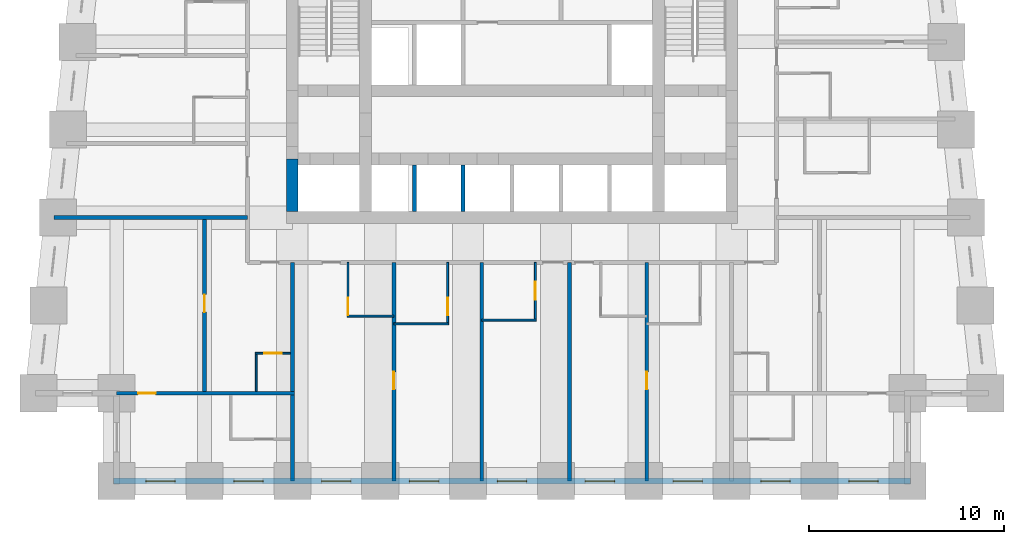
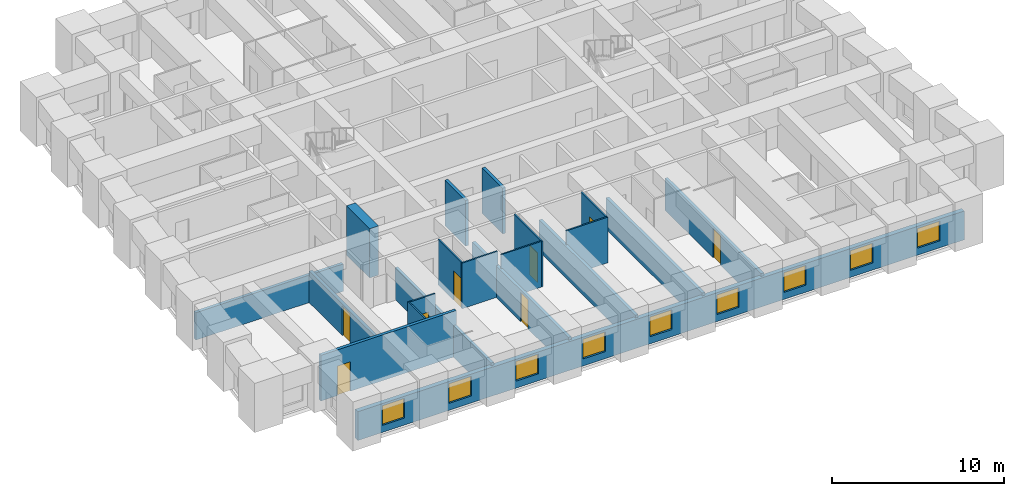
# One storey, part 2 of 8: 20 walls, 9 windows, 8 doors, 17 openings.
"""IFC4 building model written with IfcOpenShell, lengths in metres."""

import ifcopenshell
import ifcopenshell.guid

model = None  # the IFC model being written
_history = None  # IfcOwnerHistory: only IFC2X3 demands one
_inside = {}  # id of a spatial element -> (the spatial element, [elements in it])
_under = {}  # id of a project, library or spatial element -> (it, [spatial elements below it])
_declared = {}  # id of a project -> (the project, [libraries it declares])
_typed = {}  # id of a type object -> (the type object, [elements of that type])
_made_of = {}  # id of a material, layer set ... -> (it, [elements and type objects made of it])


def new_model(schema):
    """Start an empty IFC model of exactly this schema.

    Asked for "IFC4X3", IfcOpenShell would pick the latest addendum, in which some entities
    have other attributes; the version numbers below select the first issue.
    IFC2X3 requires an IfcOwnerHistory on every rooted entity: one is made here for all.
    """
    global model, _history
    if schema == "IFC4X3":
        model = ifcopenshell.file(schema_version=(4, 3, 0, 0))
    else:
        model = ifcopenshell.file(schema=schema)
    _inside.clear()
    _under.clear()
    _declared.clear()
    _typed.clear()
    _made_of.clear()
    _history = None
    if model.schema == "IFC2X3":
        org = make("IfcOrganization", Name="unknown")
        user = make(
            "IfcPersonAndOrganization",
            ThePerson=make("IfcPerson", FamilyName="unknown"),
            TheOrganization=org,
        )
        app = make(
            "IfcApplication",
            ApplicationDeveloper=org,
            Version="unknown",
            ApplicationFullName="unknown",
            ApplicationIdentifier="unknown",
        )
        _history = make(
            "IfcOwnerHistory",
            OwningUser=user,
            OwningApplication=app,
            ChangeAction="ADDED",
            CreationDate=0,
        )
    return model


def make(cls, **values):
    """One entity of the class cls with the attributes given. An attribute that is None is left unset."""
    return model.create_entity(
        cls, **{name: value for name, value in values.items() if value is not None}
    )


def rooted(cls, **values):
    """An entity with a GlobalId (a new one), such as an element, a storey or a relation."""
    return make(cls, GlobalId=ifcopenshell.guid.new(), OwnerHistory=_history, **values)


def si_unit(unit_type, name, prefix=None):
    """IfcSIUnit, for example si_unit("LENGTHUNIT", "METRE", prefix="MILLI")."""
    return make("IfcSIUnit", UnitType=unit_type, Prefix=prefix, Name=name)


def assignment(units):
    """IfcUnitAssignment: the units of a project."""
    return None if units is None else make("IfcUnitAssignment", Units=units)


def point(xyz):
    """IfcCartesianPoint."""
    return None if xyz is None else make("IfcCartesianPoint", Coordinates=xyz)


def direction(xyz):
    """IfcDirection."""
    return None if xyz is None else make("IfcDirection", DirectionRatios=xyz)


def frame(location, z_axis=None, x_axis=None):
    """IfcAxis2Placement3D, a coordinate frame: its origin and axes. An axis left out is left unset."""
    return make(
        "IfcAxis2Placement3D",
        Location=point(location),
        Axis=direction(z_axis),
        RefDirection=direction(x_axis),
    )


def frame_2d(location, x_axis=None):
    """IfcAxis2Placement2D, a coordinate frame in the plane: its origin and x axis."""
    return make(
        "IfcAxis2Placement2D", Location=point(location), RefDirection=direction(x_axis)
    )


def origin():
    """The frame at (0, 0, 0) with its axes left unset."""
    return frame((0.0, 0.0, 0.0))


def place(relative_to, where):
    """IfcLocalPlacement: puts the frame where relative to a parent placement (None: the world)."""
    return make(
        "IfcLocalPlacement", PlacementRelTo=relative_to, RelativePlacement=where
    )


def context(
    kind, dimensions, precision=None, world=None, true_north=None, identifier=None
):
    """IfcGeometricRepresentationContext, for example the 3D "Model" context."""
    return make(
        "IfcGeometricRepresentationContext",
        ContextIdentifier=identifier,
        ContextType=kind,
        CoordinateSpaceDimension=dimensions,
        Precision=precision,
        WorldCoordinateSystem=world,
        TrueNorth=true_north,
    )


def subcontext(parent, identifier, kind, view, scale=None):
    """IfcGeometricRepresentationSubContext, for example "Body" below "Model"."""
    return make(
        "IfcGeometricRepresentationSubContext",
        ContextIdentifier=identifier,
        ContextType=kind,
        ParentContext=parent,
        TargetScale=scale,
        TargetView=view,
    )


def project(units=None, contexts=None):
    """IfcProject with its units and contexts."""
    return rooted(
        "IfcProject",
        Name="project",
        RepresentationContexts=contexts,
        UnitsInContext=assignment(units),
    )


def spatial(cls, under=None, at=None, **own):
    """A site, building, storey or space (cls), placed at a placement, below another one or the project."""
    s = rooted(cls, ObjectPlacement=at, **own)
    if under is not None:
        _under.setdefault(under.id(), (under, []))[1].append(s)
    return s


def profile(cls, at=None, kind="AREA", **sizes):
    """A parametric profile (cls). Its sizes go by their IFC names, for example OverallWidth=200.0."""
    return make(cls, ProfileType=kind, Position=at, **sizes)


def rectangle(**sizes):
    """IfcRectangleProfileDef."""
    return profile("IfcRectangleProfileDef", **sizes)


def extrude(swept, where, along, depth):
    """IfcExtrudedAreaSolid: the profile swept, set in the frame where, extruded along a direction by depth."""
    return make(
        "IfcExtrudedAreaSolid",
        SweptArea=swept,
        Position=where,
        ExtrudedDirection=direction(along),
        Depth=depth,
    )


def shape(context_of_items, identifier, shape_type, items):
    """IfcShapeRepresentation: the items that make up one representation, for example the "Body"."""
    return make(
        "IfcShapeRepresentation",
        ContextOfItems=context_of_items,
        RepresentationIdentifier=identifier,
        RepresentationType=shape_type,
        Items=items,
    )


def material(Name=None, Category=None):
    """IfcMaterial."""
    return make("IfcMaterial", Name=Name, Category=Category)


def layer(
    of_material, thickness, ventilated=None, Name=None, Category=None, Priority=None
):
    """IfcMaterialLayer: one layer of a wall or slab, of a material (None: an air gap)."""
    return make(
        "IfcMaterialLayer",
        Material=of_material,
        LayerThickness=thickness,
        IsVentilated=ventilated,
        Name=Name,
        Category=Category,
        Priority=Priority,
    )


def layer_set(layers, Name=None):
    """IfcMaterialLayerSet."""
    return make("IfcMaterialLayerSet", MaterialLayers=layers, LayerSetName=Name)


def made_of(thing, what):
    """Note that an element or type object is made of a material, layer set ...; save() writes the relation."""
    if what is not None:
        _made_of.setdefault(what.id(), (what, []))[1].append(thing)
    return thing


def type_object(cls, material=None, **own):
    """A type object (cls), such as IfcWallType, which elements share."""
    return made_of(rooted(cls, **own), material)


def element(
    cls,
    number,
    at=None,
    inside=None,
    cuts=None,
    type_object=None,
    material=None,
    context=None,
    identifier="Body",
    shape_type=None,
    held_by="IfcProductDefinitionShape",
    body=None,
    shapes=None,
    **own,
):
    """One element of the class cls, such as IfcWall. Its Tag is "e" and its number.

    at: its placement. inside: the storey or other place that contains it. cuts: it is an
    opening in that element (IfcRelVoidsElement). A single representation is given by context,
    identifier, shape_type and body (its items); several are given by shapes. held_by: the class
    of the entity that holds the representations. save() writes the other relations.
    """
    e = rooted(cls, Tag="e%d" % number, ObjectPlacement=at, **own)
    if body is not None:
        shapes = [shape(context, identifier, shape_type, body)]
    if shapes is not None:
        e.Representation = make(held_by, Representations=shapes)
    if inside is not None:
        _inside.setdefault(inside.id(), (inside, []))[1].append(e)
    if cuts is not None:
        rooted(
            "IfcRelVoidsElement", RelatingBuildingElement=cuts, RelatedOpeningElement=e
        )
    if type_object is not None:
        _typed.setdefault(type_object.id(), (type_object, []))[1].append(e)
    return made_of(e, material)


def fill(opening, filler):
    """IfcRelFillsElement: the door or window that sits in an opening."""
    return rooted(
        "IfcRelFillsElement",
        RelatingOpeningElement=opening,
        RelatedBuildingElement=filler,
    )


def aggregate(whole, parts):
    """IfcRelAggregates: a whole, such as a stair, and the parts it consists of."""
    return rooted("IfcRelAggregates", RelatingObject=whole, RelatedObjects=parts)


def save(model, path):
    """Write the relations noted so far, then the file.

    IfcRelAggregates (storeys below a building ...), IfcRelContainedInSpatialStructure (elements
    in a storey), IfcRelDefinesByType, IfcRelAssociatesMaterial and IfcRelDeclares: one each for
    every whole, place, type object, material and project.
    """
    for whole, parts in _under.values():
        aggregate(whole, parts)
    for where, things in _inside.values():
        rooted(
            "IfcRelContainedInSpatialStructure",
            RelatedElements=things,
            RelatingStructure=where,
        )
    for kind, things in _typed.values():
        rooted("IfcRelDefinesByType", RelatedObjects=things, RelatingType=kind)
    for what, things in _made_of.values():
        rooted("IfcRelAssociatesMaterial", RelatedObjects=things, RelatingMaterial=what)
    for by, libraries in _declared.values():
        rooted("IfcRelDeclares", RelatingContext=by, RelatedDefinitions=libraries)
    model.write(path)


model = new_model("IFC4")

# Units and contexts
model_context = context("Model", 3, precision=1e-05, world=origin(), true_north=direction((0.0, 1.0)))
body_context = subcontext(model_context, "Body", "Model", "MODEL_VIEW")
ifc_project = project(units=[si_unit("LENGTHUNIT", "METRE"), si_unit("AREAUNIT", "SQUARE_METRE"), si_unit("VOLUMEUNIT", "CUBIC_METRE"), si_unit("PLANEANGLEUNIT", "RADIAN"), si_unit("MASSUNIT", "GRAM", prefix="KILO")], contexts=[model_context])

# Site, building, storey
site_placement = place(None, origin())
site = spatial("IfcSite", under=ifc_project, at=site_placement, CompositionType="ELEMENT")
building_placement = place(site_placement, origin())
building = spatial("IfcBuilding", under=site, at=building_placement, Name="Kilele Tower Hotel", CompositionType="ELEMENT")
storey_placement = place(building_placement, frame((0.0, 0.0, 75.199951171875)))
storey = spatial("IfcBuildingStorey", under=building, at=storey_placement, Name="L18", CompositionType="ELEMENT", Elevation=75.199951171875)

# Wall
ifc_material_1 = material(Name="Moisture-resistant board")
ifc_layer_1 = layer(ifc_material_1, 0.10009765625)
ifc_layer_set_1 = layer_set([ifc_layer_1], Name="Moisture-resistant board")
wall_type_1 = type_object("IfcWallType", Name="Bathroom partition 100", PredefinedType="PLUMBINGWALL", material=ifc_layer_set_1)
wall_1_placement = place(storey_placement, frame((16.300048828125, 8.449951171875, 0.0), z_axis=(0.0, 0.0, 1.0), x_axis=(1.0, 0.0, 0.0)))
element("IfcWall", 1, at=wall_1_placement, inside=storey, type_object=wall_type_1, Name="Bathroom partition 100 L18", PredefinedType="PLUMBINGWALL", context=body_context, shape_type="SweptSolid", body=[
    extrude(rectangle(XDim=2.39990234375, YDim=0.10009765625, at=frame_2d((1.199951171875, 0.0))), origin(), (0.0, 0.0, 1.0), 3.25),
])

# Wall, opening, door
wall_2_placement = place(storey_placement, frame((16.35009765625, 11.199951171875, 0.0), z_axis=(0.0, 0.0, 1.0), x_axis=(0.0, -1.0, 0.0)))
wall_2 = element("IfcWall", 2, at=wall_2_placement, inside=storey, type_object=wall_type_1, Name="Bathroom partition 100 L18", PredefinedType="PLUMBINGWALL", context=body_context, shape_type="SweptSolid", body=[
    extrude(rectangle(XDim=2.800048828125, YDim=0.10009765625, at=frame_2d((1.39990234375, 0.0))), origin(), (0.0, 0.0, 1.0), 3.25),
])
opening_1_placement = place(wall_2_placement, frame((2.699951171875, 0.0, 0.0), z_axis=(0.0, 0.0, 1.0), x_axis=(-1.0, 0.0, 0.0)))
opening_1 = element("IfcOpeningElement", 3, at=opening_1_placement, cuts=wall_2, Name="Opening D2A", PredefinedType="OPENING", context=body_context, shape_type="SweptSolid", body=[
    extrude(rectangle(XDim=0.89990234375, YDim=2.10009765625, at=frame_2d((0.449951171875, 1.050048828125))), frame((0.0, 0.06005859375, 0.0), z_axis=(0.0, -1.0, 0.0), x_axis=(1.0, 0.0, 0.0)), (0.0, 0.0, 1.0), 0.1201171875),
])
ifc_material_2 = material(Name="Timber door leaf in hardwood frame", Category="wood")
door_type_1 = type_object("IfcDoorType", Name="Bathroom door 900", OperationType="SINGLE_SWING_LEFT", PredefinedType="DOOR", material=ifc_material_2)
door_1_placement = place(opening_1_placement, origin())
door_1 = element("IfcDoor", 4, at=door_1_placement, inside=storey, type_object=door_type_1, Name="Bathroom door 1801B", OperationType="SINGLE_SWING_LEFT", OverallHeight=2.10009765625, OverallWidth=0.89990234375, PredefinedType="DOOR", context=body_context, shape_type="SweptSolid", body=[
    extrude(rectangle(XDim=0.89990234375, YDim=2.10009765625, at=frame_2d((0.449951171875, 1.050048828125))), frame((0.0, 0.02490234375, 0.0), z_axis=(0.0, -1.0, 0.0), x_axis=(1.0, 0.0, 0.0)), (0.0, 0.0, 1.0), 0.050048828125),
])
fill(opening_1, door_1)

# Wall
wall_3_placement = place(storey_placement, frame((18.699951171875, 8.050048828125, 0.0), z_axis=(0.0, 0.0, 1.0), x_axis=(1.0, 0.0, 0.0)))
element("IfcWall", 5, at=wall_3_placement, inside=storey, type_object=wall_type_1, Name="Bathroom partition 100 L18", PredefinedType="PLUMBINGWALL", context=body_context, shape_type="SweptSolid", body=[
    extrude(rectangle(XDim=2.800048828125, YDim=0.10009765625, at=frame_2d((1.39990234375, 0.0))), origin(), (0.0, 0.0, 1.0), 3.25),
])

# Wall, opening, door
wall_4_placement = place(storey_placement, frame((21.449951171875, 11.199951171875, 0.0), z_axis=(0.0, 0.0, 1.0), x_axis=(0.0, -1.0, 0.0)))
wall_4 = element("IfcWall", 6, at=wall_4_placement, inside=storey, type_object=wall_type_1, Name="Bathroom partition 100 L18", PredefinedType="PLUMBINGWALL", context=body_context, shape_type="SweptSolid", body=[
    extrude(rectangle(XDim=3.199951171875, YDim=0.10009765625, at=frame_2d((1.60009765625, 0.0))), origin(), (0.0, 0.0, 1.0), 3.25),
])
opening_2_placement = place(wall_4_placement, frame((1.800048828125, 0.0, 0.0)))
opening_2 = element("IfcOpeningElement", 7, at=opening_2_placement, cuts=wall_4, Name="Opening D2A", PredefinedType="OPENING", context=body_context, shape_type="SweptSolid", body=[
    extrude(rectangle(XDim=0.89990234375, YDim=2.10009765625, at=frame_2d((0.449951171875, 1.050048828125))), frame((0.0, 0.06005859375, 0.0), z_axis=(0.0, -1.0, 0.0), x_axis=(1.0, 0.0, 0.0)), (0.0, 0.0, 1.0), 0.1201171875),
])
door_2_placement = place(opening_2_placement, origin())
door_2 = element("IfcDoor", 8, at=door_2_placement, inside=storey, type_object=door_type_1, Name="Bathroom door 1802B", OperationType="SINGLE_SWING_RIGHT", OverallHeight=2.10009765625, OverallWidth=0.89990234375, PredefinedType="DOOR", context=body_context, shape_type="SweptSolid", body=[
    extrude(rectangle(XDim=0.89990234375, YDim=2.10009765625, at=frame_2d((0.449951171875, 1.050048828125))), frame((0.0, 0.02490234375, 0.0), z_axis=(0.0, -1.0, 0.0), x_axis=(1.0, 0.0, 0.0)), (0.0, 0.0, 1.0), 0.050048828125),
])
fill(opening_2, door_2)

# Wall
wall_5_placement = place(storey_placement, frame((23.199951171875, 8.25, 0.0), z_axis=(0.0, 0.0, 1.0), x_axis=(1.0, 0.0, 0.0)))
element("IfcWall", 9, at=wall_5_placement, inside=storey, type_object=wall_type_1, Name="Bathroom partition 100 L18", PredefinedType="PLUMBINGWALL", context=body_context, shape_type="SweptSolid", body=[
    extrude(rectangle(XDim=2.800048828125, YDim=0.10009765625, at=frame_2d((1.39990234375, 0.0))), origin(), (0.0, 0.0, 1.0), 3.25),
])

# Wall, opening, door
wall_6_placement = place(storey_placement, frame((25.949951171875, 11.199951171875, 0.0), z_axis=(0.0, 0.0, 1.0), x_axis=(0.0, -1.0, 0.0)))
wall_6 = element("IfcWall", 10, at=wall_6_placement, inside=storey, type_object=wall_type_1, Name="Bathroom partition 100 L18", PredefinedType="PLUMBINGWALL", context=body_context, shape_type="SweptSolid", body=[
    extrude(rectangle(XDim=3.0, YDim=0.10009765625, at=frame_2d((1.5, 0.0))), origin(), (0.0, 0.0, 1.0), 3.25),
])
opening_3_placement = place(wall_6_placement, frame((1.0, 0.0, 0.0)))
opening_3 = element("IfcOpeningElement", 11, at=opening_3_placement, cuts=wall_6, Name="Opening D2A", PredefinedType="OPENING", context=body_context, shape_type="SweptSolid", body=[
    extrude(rectangle(XDim=0.89990234375, YDim=2.10009765625, at=frame_2d((0.449951171875, 1.050048828125))), frame((0.0, 0.06005859375, 0.0), z_axis=(0.0, -1.0, 0.0), x_axis=(1.0, 0.0, 0.0)), (0.0, 0.0, 1.0), 0.1201171875),
])
door_3_placement = place(opening_3_placement, origin())
door_3 = element("IfcDoor", 12, at=door_3_placement, inside=storey, type_object=door_type_1, Name="Bathroom door 1803B", OperationType="SINGLE_SWING_LEFT", OverallHeight=2.10009765625, OverallWidth=0.89990234375, PredefinedType="DOOR", context=body_context, shape_type="SweptSolid", body=[
    extrude(rectangle(XDim=0.89990234375, YDim=2.10009765625, at=frame_2d((0.449951171875, 1.050048828125))), frame((0.0, 0.02490234375, 0.0), z_axis=(0.0, -1.0, 0.0), x_axis=(1.0, 0.0, 0.0)), (0.0, 0.0, 1.0), 0.050048828125),
])
fill(opening_3, door_3)

# Wall
wall_7_placement = place(storey_placement, frame((11.64990234375, 4.60009765625, 0.0), z_axis=(0.0, 0.0, 1.0), x_axis=(0.0, 1.0, 0.0)))
element("IfcWall", 13, at=wall_7_placement, inside=storey, type_object=wall_type_1, Name="Bathroom partition 100 L18", PredefinedType="PLUMBINGWALL", context=body_context, shape_type="SweptSolid", body=[
    extrude(rectangle(XDim=2.0, YDim=0.10009765625, at=frame_2d((1.0, 0.0))), origin(), (0.0, 0.0, 1.0), 3.25),
])

# Wall, opening, door
wall_8_placement = place(storey_placement, frame((13.39990234375, 6.550048828125, 0.0), z_axis=(0.0, 0.0, 1.0), x_axis=(-1.0, 0.0, 0.0)))
wall_8 = element("IfcWall", 14, at=wall_8_placement, inside=storey, type_object=wall_type_1, Name="Bathroom partition 100 L18", PredefinedType="PLUMBINGWALL", context=body_context, shape_type="SweptSolid", body=[
    extrude(rectangle(XDim=1.7998046875, YDim=0.10009765625, at=frame_2d((0.89990234375, 0.0))), origin(), (0.0, 0.0, 1.0), 3.25),
])
opening_4_placement = place(wall_8_placement, frame((1.349853515625, 0.0, 0.0), z_axis=(0.0, 0.0, 1.0), x_axis=(-1.0, 0.0, 0.0)))
opening_4 = element("IfcOpeningElement", 15, at=opening_4_placement, cuts=wall_8, Name="Opening D2A", PredefinedType="OPENING", context=body_context, shape_type="SweptSolid", body=[
    extrude(rectangle(XDim=0.89990234375, YDim=2.10009765625, at=frame_2d((0.449951171875, 1.050048828125))), frame((0.0, 0.06005859375, 0.0), z_axis=(0.0, -1.0, 0.0), x_axis=(1.0, 0.0, 0.0)), (0.0, 0.0, 1.0), 0.1201171875),
])
door_4_placement = place(opening_4_placement, origin())
door_4 = element("IfcDoor", 16, at=door_4_placement, inside=storey, type_object=door_type_1, Name="Bathroom door 1817P", OperationType="SINGLE_SWING_RIGHT", OverallHeight=2.10009765625, OverallWidth=0.89990234375, PredefinedType="DOOR", context=body_context, shape_type="SweptSolid", body=[
    extrude(rectangle(XDim=0.89990234375, YDim=2.10009765625, at=frame_2d((0.449951171875, 1.050048828125))), frame((0.0, 0.02490234375, 0.0), z_axis=(0.0, -1.0, 0.0), x_axis=(1.0, 0.0, 0.0)), (0.0, 0.0, 1.0), 0.050048828125),
])
fill(opening_4, door_4)

# Wall
ifc_material_3 = material(Name="Concrete C60/75", Category="concrete")
ifc_layer_2 = layer(ifc_material_3, 0.60009765625)
ifc_layer_set_2 = layer_set([ifc_layer_2], Name="Concrete C60/75")
wall_type_2 = type_object("IfcWallType", Name="Core wall 600 C60/75", PredefinedType="SHEAR", material=ifc_layer_set_2)
wall_9_placement = place(storey_placement, frame((13.5, 16.5, 0.0), z_axis=(0.0, 0.0, 1.0), x_axis=(0.0, -1.0, 0.0)))
element("IfcWall", 17, at=wall_9_placement, inside=storey, type_object=wall_type_2, Name="Core wall W3 L18", PredefinedType="SHEAR", context=body_context, shape_type="SweptSolid", body=[
    extrude(rectangle(XDim=2.699951171875, YDim=0.60009765625, at=frame_2d((1.35009765625, 0.0))), origin(), (0.0, 0.0, 1.0), 3.5),
])

# Wall, opening, door
ifc_material_4 = material(Name="Blockwork, plastered both sides", Category="masonry")
ifc_layer_3 = layer(ifc_material_4, 0.199951171875)
ifc_layer_set_3 = layer_set([ifc_layer_3], Name="Blockwork, plastered both sides")
wall_type_3 = type_object("IfcWallType", Name="Partition wall 200", PredefinedType="PARTITIONING", material=ifc_layer_set_3)
wall_10_placement = place(storey_placement, frame((9.0, 4.60009765625, 0.0), z_axis=(0.0, 0.0, 1.0), x_axis=(0.0, 1.0, 0.0)))
wall_10 = element("IfcWall", 18, at=wall_10_placement, inside=storey, type_object=wall_type_3, Name="Partition wall 200 L18", PredefinedType="PARTITIONING", context=body_context, shape_type="SweptSolid", body=[
    extrude(rectangle(XDim=8.7998046875, YDim=0.199951171875, at=frame_2d((4.39990234375, 0.0))), origin(), (0.0, 0.0, 1.0), 2.25),
])
opening_5_placement = place(wall_10_placement, frame((4.050048828125, 0.0, 0.0)))
opening_5 = element("IfcOpeningElement", 19, at=opening_5_placement, cuts=wall_10, Name="Opening D3", PredefinedType="OPENING", context=body_context, shape_type="SweptSolid", body=[
    extrude(rectangle(XDim=0.89990234375, YDim=2.10009765625, at=frame_2d((0.449951171875, 1.050048828125))), frame((0.0, 0.10986328125, 0.0), z_axis=(0.0, -1.0, 0.0), x_axis=(1.0, 0.0, 0.0)), (0.0, 0.0, 1.0), 0.219970703125),
])
ifc_material_5 = material(Name="Timber door leaf in hardwood frame", Category="wood")
door_type_2 = type_object("IfcDoorType", Name="Suite internal door 900", OperationType="SINGLE_SWING_LEFT", PredefinedType="DOOR", material=ifc_material_5)
door_5_placement = place(opening_5_placement, origin())
door_5 = element("IfcDoor", 20, at=door_5_placement, inside=storey, type_object=door_type_2, Name="Suite door 1818", OperationType="SINGLE_SWING_RIGHT", OverallHeight=2.10009765625, OverallWidth=0.89990234375, PredefinedType="DOOR", context=body_context, shape_type="SweptSolid", body=[
    extrude(rectangle(XDim=0.89990234375, YDim=2.10009765625, at=frame_2d((0.449951171875, 1.050048828125))), frame((0.0, 0.02490234375, 0.0), z_axis=(0.0, -1.0, 0.0), x_axis=(1.0, 0.0, 0.0)), (0.0, 0.0, 1.0), 0.050048828125),
])
fill(opening_5, door_5)

ifc_material_6 = material(Name="Blockwork, plastered both sides", Category="masonry")
ifc_layer_4 = layer(ifc_material_6, 0.199951171875)
ifc_layer_set_4 = layer_set([ifc_layer_4], Name="Blockwork, plastered both sides")
wall_type_4 = type_object("IfcWallType", Name="Party wall 200", PredefinedType="PARTITIONING", material=ifc_layer_set_4)
wall_11_placement = place(storey_placement, frame((18.699951171875, 11.199951171875, 0.0), z_axis=(0.0, 0.0, 1.0), x_axis=(0.0, -1.0, 0.0)))
wall_11 = element("IfcWall", 21, at=wall_11_placement, inside=storey, type_object=wall_type_4, Name="Party wall 200 L18", PredefinedType="PARTITIONING", context=body_context, shape_type="SweptSolid", body=[
    extrude(rectangle(XDim=11.199951171875, YDim=0.199951171875, at=frame_2d((5.60009765625, 0.0))), origin(), (0.0, 0.0, 1.0), 2.25),
])
opening_6_placement = place(wall_11_placement, frame((5.60009765625, 0.0, 0.0)))
opening_6 = element("IfcOpeningElement", 22, at=opening_6_placement, cuts=wall_11, Name="Opening D3", PredefinedType="OPENING", context=body_context, shape_type="SweptSolid", body=[
    extrude(rectangle(XDim=0.89990234375, YDim=2.10009765625, at=frame_2d((0.449951171875, 1.050048828125))), frame((0.0, 0.10986328125, 0.0), z_axis=(0.0, -1.0, 0.0), x_axis=(1.0, 0.0, 0.0)), (0.0, 0.0, 1.0), 0.219970703125),
])
door_6_placement = place(opening_6_placement, origin())
door_6 = element("IfcDoor", 23, at=door_6_placement, inside=storey, type_object=door_type_2, Name="Suite door 1802", OperationType="SINGLE_SWING_RIGHT", OverallHeight=2.10009765625, OverallWidth=0.89990234375, PredefinedType="DOOR", context=body_context, shape_type="SweptSolid", body=[
    extrude(rectangle(XDim=0.89990234375, YDim=2.10009765625, at=frame_2d((0.449951171875, 1.050048828125))), frame((0.0, 0.02490234375, 0.0), z_axis=(0.0, -1.0, 0.0), x_axis=(1.0, 0.0, 0.0)), (0.0, 0.0, 1.0), 0.050048828125),
])
fill(opening_6, door_6)

# Walls
for number, where, z_axis, x_axis, name in (
    (24, (23.199951171875, 11.199951171875, 0.0), (0.0, 0.0, 1.0), (0.0, -1.0, 0.0), "Party wall 200 L18"),
    (25, (27.699951171875, 11.199951171875, 0.0), (0.0, 0.0, 1.0), (0.0, -1.0, 0.0), "Party wall 200 L18"),
):
    element("IfcWall", number, at=place(storey_placement, frame(where, z_axis=z_axis, x_axis=x_axis)), inside=storey, type_object=wall_type_4, Name=name, PredefinedType="PARTITIONING", context=body_context, shape_type="SweptSolid", body=[
        extrude(rectangle(XDim=11.199951171875, YDim=0.199951171875, at=frame_2d((5.60009765625, 0.0))), origin(), (0.0, 0.0, 1.0), 2.25),
    ])

# Wall, opening, door
wall_12_placement = place(storey_placement, frame((31.64990234375, 11.199951171875, 0.0), z_axis=(0.0, 0.0, 1.0), x_axis=(0.0, -1.0, 0.0)))
wall_12 = element("IfcWall", 26, at=wall_12_placement, inside=storey, type_object=wall_type_4, Name="Party wall 200 L18", PredefinedType="PARTITIONING", context=body_context, shape_type="SweptSolid", body=[
    extrude(rectangle(XDim=11.199951171875, YDim=0.199951171875, at=frame_2d((5.60009765625, 0.0))), origin(), (0.0, 0.0, 1.0), 2.25),
])
opening_7_placement = place(wall_12_placement, frame((5.60009765625, 0.0, 0.0)))
opening_7 = element("IfcOpeningElement", 27, at=opening_7_placement, cuts=wall_12, Name="Opening D3", PredefinedType="OPENING", context=body_context, shape_type="SweptSolid", body=[
    extrude(rectangle(XDim=0.89990234375, YDim=2.10009765625, at=frame_2d((0.449951171875, 1.050048828125))), frame((0.0, 0.10986328125, 0.0), z_axis=(0.0, -1.0, 0.0), x_axis=(1.0, 0.0, 0.0)), (0.0, 0.0, 1.0), 0.219970703125),
])
door_7_placement = place(opening_7_placement, origin())
door_7 = element("IfcDoor", 28, at=door_7_placement, inside=storey, type_object=door_type_2, Name="Suite door 1805", OperationType="SINGLE_SWING_RIGHT", OverallHeight=2.10009765625, OverallWidth=0.89990234375, PredefinedType="DOOR", context=body_context, shape_type="SweptSolid", body=[
    extrude(rectangle(XDim=0.89990234375, YDim=2.10009765625, at=frame_2d((0.449951171875, 1.050048828125))), frame((0.0, 0.02490234375, 0.0), z_axis=(0.0, -1.0, 0.0), x_axis=(1.0, 0.0, 0.0)), (0.0, 0.0, 1.0), 0.050048828125),
])
fill(opening_7, door_7)

# Walls
wall_13_placement = place(storey_placement, frame((11.199951171875, 13.5, 0.0), z_axis=(0.0, 0.0, 1.0), x_axis=(-1.0, 0.0, 0.0)))
element("IfcWall", 29, at=wall_13_placement, inside=storey, type_object=wall_type_4, Name="Party wall 200 L18", PredefinedType="PARTITIONING", context=body_context, shape_type="SweptSolid", body=[
    extrude(rectangle(XDim=9.921142578125, YDim=0.199951171875, at=frame_2d((4.96044921875, 0.0))), origin(), (0.0, 0.0, 1.0), 1.949951171875),
])
wall_14_placement = place(storey_placement, frame((13.5, 11.199951171875, 0.0), z_axis=(0.0, 0.0, 1.0), x_axis=(0.0, -1.0, 0.0)))
element("IfcWall", 30, at=wall_14_placement, inside=storey, type_object=wall_type_4, Name="Party wall 200 L18", PredefinedType="PARTITIONING", context=body_context, shape_type="SweptSolid", body=[
    extrude(rectangle(XDim=11.199951171875, YDim=0.199951171875, at=frame_2d((5.60009765625, 0.0))), origin(), (0.0, 0.0, 1.0), 2.25),
])

# Wall, opening, door
wall_15_placement = place(storey_placement, frame((13.60009765625, 4.5, 0.0), z_axis=(0.0, 0.0, 1.0), x_axis=(-1.0, 0.0, 0.0)))
wall_15 = element("IfcWall", 31, at=wall_15_placement, inside=storey, type_object=wall_type_4, Name="Party wall 200 L18", PredefinedType="PARTITIONING", context=body_context, shape_type="SweptSolid", body=[
    extrude(rectangle(XDim=9.10009765625, YDim=0.199951171875, at=frame_2d((4.550048828125, 0.0))), origin(), (0.0, 0.0, 1.0), 3.25),
])
opening_8_placement = place(wall_15_placement, frame((7.10009765625, 0.0, 0.0)))
opening_8 = element("IfcOpeningElement", 32, at=opening_8_placement, cuts=wall_15, Name="Opening D3", PredefinedType="OPENING", context=body_context, shape_type="SweptSolid", body=[
    extrude(rectangle(XDim=0.89990234375, YDim=2.10009765625, at=frame_2d((0.449951171875, 1.050048828125))), frame((0.0, 0.10986328125, 0.0), z_axis=(0.0, -1.0, 0.0), x_axis=(1.0, 0.0, 0.0)), (0.0, 0.0, 1.0), 0.219970703125),
])
door_8_placement = place(opening_8_placement, origin())
door_8 = element("IfcDoor", 33, at=door_8_placement, inside=storey, type_object=door_type_2, Name="Suite door 1819", OperationType="SINGLE_SWING_RIGHT", OverallHeight=2.10009765625, OverallWidth=0.89990234375, PredefinedType="DOOR", context=body_context, shape_type="SweptSolid", body=[
    extrude(rectangle(XDim=0.89990234375, YDim=2.10009765625, at=frame_2d((0.449951171875, 1.050048828125))), frame((0.0, 0.02490234375, 0.0), z_axis=(0.0, -1.0, 0.0), x_axis=(1.0, 0.0, 0.0)), (0.0, 0.0, 1.0), 0.050048828125),
])
fill(opening_8, door_8)

# Wall, openings, windows
ifc_material_7 = material(Name="Concrete C40/50 precast", Category="concrete")
ifc_layer_5 = layer(ifc_material_7, 0.260009765625, Name="Precast backing", Category="LoadBearing")
ifc_material_8 = material(Name="Reconstituted stone finish", Category="masonry")
ifc_layer_6 = layer(ifc_material_8, 0.0400390625, Name="Face mix", Category="Finish")
ifc_layer_set_5 = layer_set([ifc_layer_5, ifc_layer_6], Name="Precast concrete C40/50, reconstituted stone finish")
wall_type_5 = type_object("IfcWallType", Name="Precast stone facade wall 300", PredefinedType="STANDARD", material=ifc_layer_set_5)
wall_16_placement = place(storey_placement, frame((4.35009765625, 0.0, 0.0), z_axis=(0.0, 0.0, 1.0), x_axis=(1.0, 0.0, 0.0)))
wall_16 = element("IfcWall", 34, at=wall_16_placement, inside=storey, type_object=wall_type_5, Name="Facade wall L18 edge 3", PredefinedType="STANDARD", context=body_context, shape_type="SweptSolid", body=[
    extrude(rectangle(XDim=40.7998046875, YDim=0.300048828125, at=frame_2d((20.39990234375, 0.0))), origin(), (0.0, 0.0, 1.0), 2.050048828125),
])
opening_9_placement = place(wall_16_placement, frame((1.64990234375, 0.0, 0.5)))
opening_9 = element("IfcOpeningElement", 35, at=opening_9_placement, cuts=wall_16, Name="Opening W1", PredefinedType="OPENING", context=body_context, shape_type="SweptSolid", body=[
    extrude(rectangle(XDim=1.5, YDim=1.39990234375, at=frame_2d((0.75, 0.699951171875))), frame((0.0, 0.159912109375, 0.0), z_axis=(0.0, -1.0, 0.0), x_axis=(1.0, 0.0, 0.0)), (0.0, 0.0, 1.0), 0.320068359375),
])
opening_10_placement = place(wall_16_placement, frame((6.14990234375, 0.0, 0.5)))
opening_10 = element("IfcOpeningElement", 36, at=opening_10_placement, cuts=wall_16, Name="Opening W1", PredefinedType="OPENING", context=body_context, shape_type="SweptSolid", body=[
    extrude(rectangle(XDim=1.5, YDim=1.39990234375, at=frame_2d((0.75, 0.699951171875))), frame((0.0, 0.159912109375, 0.0), z_axis=(0.0, -1.0, 0.0), x_axis=(1.0, 0.0, 0.0)), (0.0, 0.0, 1.0), 0.320068359375),
])
opening_11_placement = place(wall_16_placement, frame((10.64990234375, 0.0, 0.5)))
opening_11 = element("IfcOpeningElement", 37, at=opening_11_placement, cuts=wall_16, Name="Opening W1", PredefinedType="OPENING", context=body_context, shape_type="SweptSolid", body=[
    extrude(rectangle(XDim=1.5, YDim=1.39990234375, at=frame_2d((0.75, 0.699951171875))), frame((0.0, 0.159912109375, 0.0), z_axis=(0.0, -1.0, 0.0), x_axis=(1.0, 0.0, 0.0)), (0.0, 0.0, 1.0), 0.320068359375),
])
opening_12_placement = place(wall_16_placement, frame((15.14990234375, 0.0, 0.5)))
opening_12 = element("IfcOpeningElement", 38, at=opening_12_placement, cuts=wall_16, Name="Opening W1", PredefinedType="OPENING", context=body_context, shape_type="SweptSolid", body=[
    extrude(rectangle(XDim=1.5, YDim=1.39990234375, at=frame_2d((0.75, 0.699951171875))), frame((0.0, 0.159912109375, 0.0), z_axis=(0.0, -1.0, 0.0), x_axis=(1.0, 0.0, 0.0)), (0.0, 0.0, 1.0), 0.320068359375),
])
opening_13_placement = place(wall_16_placement, frame((19.64990234375, 0.0, 0.5)))
opening_13 = element("IfcOpeningElement", 39, at=opening_13_placement, cuts=wall_16, Name="Opening W1", PredefinedType="OPENING", context=body_context, shape_type="SweptSolid", body=[
    extrude(rectangle(XDim=1.5, YDim=1.39990234375, at=frame_2d((0.75, 0.699951171875))), frame((0.0, 0.159912109375, 0.0), z_axis=(0.0, -1.0, 0.0), x_axis=(1.0, 0.0, 0.0)), (0.0, 0.0, 1.0), 0.320068359375),
])
opening_14_placement = place(wall_16_placement, frame((24.14990234375, 0.0, 0.5)))
opening_14 = element("IfcOpeningElement", 40, at=opening_14_placement, cuts=wall_16, Name="Opening W1", PredefinedType="OPENING", context=body_context, shape_type="SweptSolid", body=[
    extrude(rectangle(XDim=1.5, YDim=1.39990234375, at=frame_2d((0.75, 0.699951171875))), frame((0.0, 0.159912109375, 0.0), z_axis=(0.0, -1.0, 0.0), x_axis=(1.0, 0.0, 0.0)), (0.0, 0.0, 1.0), 0.320068359375),
])
opening_15_placement = place(wall_16_placement, frame((28.64990234375, 0.0, 0.5)))
opening_15 = element("IfcOpeningElement", 41, at=opening_15_placement, cuts=wall_16, Name="Opening W1", PredefinedType="OPENING", context=body_context, shape_type="SweptSolid", body=[
    extrude(rectangle(XDim=1.5, YDim=1.39990234375, at=frame_2d((0.75, 0.699951171875))), frame((0.0, 0.159912109375, 0.0), z_axis=(0.0, -1.0, 0.0), x_axis=(1.0, 0.0, 0.0)), (0.0, 0.0, 1.0), 0.320068359375),
])
opening_16_placement = place(wall_16_placement, frame((33.14990234375, 0.0, 0.5)))
opening_16 = element("IfcOpeningElement", 42, at=opening_16_placement, cuts=wall_16, Name="Opening W1", PredefinedType="OPENING", context=body_context, shape_type="SweptSolid", body=[
    extrude(rectangle(XDim=1.5, YDim=1.39990234375, at=frame_2d((0.75, 0.699951171875))), frame((0.0, 0.159912109375, 0.0), z_axis=(0.0, -1.0, 0.0), x_axis=(1.0, 0.0, 0.0)), (0.0, 0.0, 1.0), 0.320068359375),
])
opening_17_placement = place(wall_16_placement, frame((37.64990234375, 0.0, 0.5)))
opening_17 = element("IfcOpeningElement", 43, at=opening_17_placement, cuts=wall_16, Name="Opening W1", PredefinedType="OPENING", context=body_context, shape_type="SweptSolid", body=[
    extrude(rectangle(XDim=1.5, YDim=1.39990234375, at=frame_2d((0.75, 0.699951171875))), frame((0.0, 0.159912109375, 0.0), z_axis=(0.0, -1.0, 0.0), x_axis=(1.0, 0.0, 0.0)), (0.0, 0.0, 1.0), 0.320068359375),
])
ifc_material_9 = material(Name="Aluminium frame, clear double glazing", Category="aluminium")
window_type = type_object("IfcWindowType", Name="Window W1 1500 x 1400", PartitioningType="SINGLE_PANEL", PredefinedType="WINDOW", material=ifc_material_9)
window_1_placement = place(opening_9_placement, origin())
window_1 = element("IfcWindow", 44, at=window_1_placement, inside=storey, type_object=window_type, Name="Window L18", OverallHeight=1.39990234375, OverallWidth=1.5, PartitioningType="SINGLE_PANEL", PredefinedType="WINDOW", context=body_context, shape_type="SweptSolid", body=[
    extrude(rectangle(XDim=1.5, YDim=1.39990234375, at=frame_2d((0.75, 0.699951171875))), frame((0.0, 0.030029296875, 0.0), z_axis=(0.0, -1.0, 0.0), x_axis=(1.0, 0.0, 0.0)), (0.0, 0.0, 1.0), 0.06005859375),
])
fill(opening_9, window_1)
window_2_placement = place(opening_10_placement, origin())
window_2 = element("IfcWindow", 45, at=window_2_placement, inside=storey, type_object=window_type, Name="Window L18", OverallHeight=1.39990234375, OverallWidth=1.5, PartitioningType="SINGLE_PANEL", PredefinedType="WINDOW", context=body_context, shape_type="SweptSolid", body=[
    extrude(rectangle(XDim=1.5, YDim=1.39990234375, at=frame_2d((0.75, 0.699951171875))), frame((0.0, 0.030029296875, 0.0), z_axis=(0.0, -1.0, 0.0), x_axis=(1.0, 0.0, 0.0)), (0.0, 0.0, 1.0), 0.06005859375),
])
fill(opening_10, window_2)
window_3_placement = place(opening_11_placement, origin())
window_3 = element("IfcWindow", 46, at=window_3_placement, inside=storey, type_object=window_type, Name="Window L18", OverallHeight=1.39990234375, OverallWidth=1.5, PartitioningType="SINGLE_PANEL", PredefinedType="WINDOW", context=body_context, shape_type="SweptSolid", body=[
    extrude(rectangle(XDim=1.5, YDim=1.39990234375, at=frame_2d((0.75, 0.699951171875))), frame((0.0, 0.030029296875, 0.0), z_axis=(0.0, -1.0, 0.0), x_axis=(1.0, 0.0, 0.0)), (0.0, 0.0, 1.0), 0.06005859375),
])
fill(opening_11, window_3)
window_4_placement = place(opening_12_placement, origin())
window_4 = element("IfcWindow", 47, at=window_4_placement, inside=storey, type_object=window_type, Name="Window L18", OverallHeight=1.39990234375, OverallWidth=1.5, PartitioningType="SINGLE_PANEL", PredefinedType="WINDOW", context=body_context, shape_type="SweptSolid", body=[
    extrude(rectangle(XDim=1.5, YDim=1.39990234375, at=frame_2d((0.75, 0.699951171875))), frame((0.0, 0.030029296875, 0.0), z_axis=(0.0, -1.0, 0.0), x_axis=(1.0, 0.0, 0.0)), (0.0, 0.0, 1.0), 0.06005859375),
])
fill(opening_12, window_4)
window_5_placement = place(opening_13_placement, origin())
window_5 = element("IfcWindow", 48, at=window_5_placement, inside=storey, type_object=window_type, Name="Window L18", OverallHeight=1.39990234375, OverallWidth=1.5, PartitioningType="SINGLE_PANEL", PredefinedType="WINDOW", context=body_context, shape_type="SweptSolid", body=[
    extrude(rectangle(XDim=1.5, YDim=1.39990234375, at=frame_2d((0.75, 0.699951171875))), frame((0.0, 0.030029296875, 0.0), z_axis=(0.0, -1.0, 0.0), x_axis=(1.0, 0.0, 0.0)), (0.0, 0.0, 1.0), 0.06005859375),
])
fill(opening_13, window_5)
window_6_placement = place(opening_14_placement, origin())
window_6 = element("IfcWindow", 49, at=window_6_placement, inside=storey, type_object=window_type, Name="Window L18", OverallHeight=1.39990234375, OverallWidth=1.5, PartitioningType="SINGLE_PANEL", PredefinedType="WINDOW", context=body_context, shape_type="SweptSolid", body=[
    extrude(rectangle(XDim=1.5, YDim=1.39990234375, at=frame_2d((0.75, 0.699951171875))), frame((0.0, 0.030029296875, 0.0), z_axis=(0.0, -1.0, 0.0), x_axis=(1.0, 0.0, 0.0)), (0.0, 0.0, 1.0), 0.06005859375),
])
fill(opening_14, window_6)
window_7_placement = place(opening_15_placement, origin())
window_7 = element("IfcWindow", 50, at=window_7_placement, inside=storey, type_object=window_type, Name="Window L18", OverallHeight=1.39990234375, OverallWidth=1.5, PartitioningType="SINGLE_PANEL", PredefinedType="WINDOW", context=body_context, shape_type="SweptSolid", body=[
    extrude(rectangle(XDim=1.5, YDim=1.39990234375, at=frame_2d((0.75, 0.699951171875))), frame((0.0, 0.030029296875, 0.0), z_axis=(0.0, -1.0, 0.0), x_axis=(1.0, 0.0, 0.0)), (0.0, 0.0, 1.0), 0.06005859375),
])
fill(opening_15, window_7)
window_8_placement = place(opening_16_placement, origin())
window_8 = element("IfcWindow", 51, at=window_8_placement, inside=storey, type_object=window_type, Name="Window L18", OverallHeight=1.39990234375, OverallWidth=1.5, PartitioningType="SINGLE_PANEL", PredefinedType="WINDOW", context=body_context, shape_type="SweptSolid", body=[
    extrude(rectangle(XDim=1.5, YDim=1.39990234375, at=frame_2d((0.75, 0.699951171875))), frame((0.0, 0.030029296875, 0.0), z_axis=(0.0, -1.0, 0.0), x_axis=(1.0, 0.0, 0.0)), (0.0, 0.0, 1.0), 0.06005859375),
])
fill(opening_16, window_8)
window_9_placement = place(opening_17_placement, origin())
window_9 = element("IfcWindow", 52, at=window_9_placement, inside=storey, type_object=window_type, Name="Window L18", OverallHeight=1.39990234375, OverallWidth=1.5, PartitioningType="SINGLE_PANEL", PredefinedType="WINDOW", context=body_context, shape_type="SweptSolid", body=[
    extrude(rectangle(XDim=1.5, YDim=1.39990234375, at=frame_2d((0.75, 0.699951171875))), frame((0.0, 0.030029296875, 0.0), z_axis=(0.0, -1.0, 0.0), x_axis=(1.0, 0.0, 0.0)), (0.0, 0.0, 1.0), 0.06005859375),
])
fill(opening_17, window_9)

# Walls
ifc_material_10 = material(Name="Blockwork, fire-rated", Category="masonry")
ifc_layer_7 = layer(ifc_material_10, 0.199951171875)
ifc_layer_set_6 = layer_set([ifc_layer_7], Name="Blockwork, fire-rated")
wall_type_6 = type_object("IfcWallType", Name="Shaft wall 200", PredefinedType="PARTITIONING", material=ifc_layer_set_6)
for number, where, z_axis, x_axis, name in (
    (53, (19.75, 13.800048828125, 0.0), (0.0, 0.0, 1.0), (0.0, 1.0, 0.0), "Shaft wall 200 L18"),
    (54, (22.25, 13.800048828125, 0.0), (0.0, 0.0, 1.0), (0.0, 1.0, 0.0), "Shaft wall 200 L18"),
):
    element("IfcWall", number, at=place(storey_placement, frame(where, z_axis=z_axis, x_axis=x_axis)), inside=storey, type_object=wall_type_6, Name=name, PredefinedType="PARTITIONING", context=body_context, shape_type="SweptSolid", body=[
        extrude(rectangle(XDim=2.39990234375, YDim=0.199951171875, at=frame_2d((1.199951171875, 0.0))), origin(), (0.0, 0.0, 1.0), 3.25),
    ])

save(model, "model.ifc")
